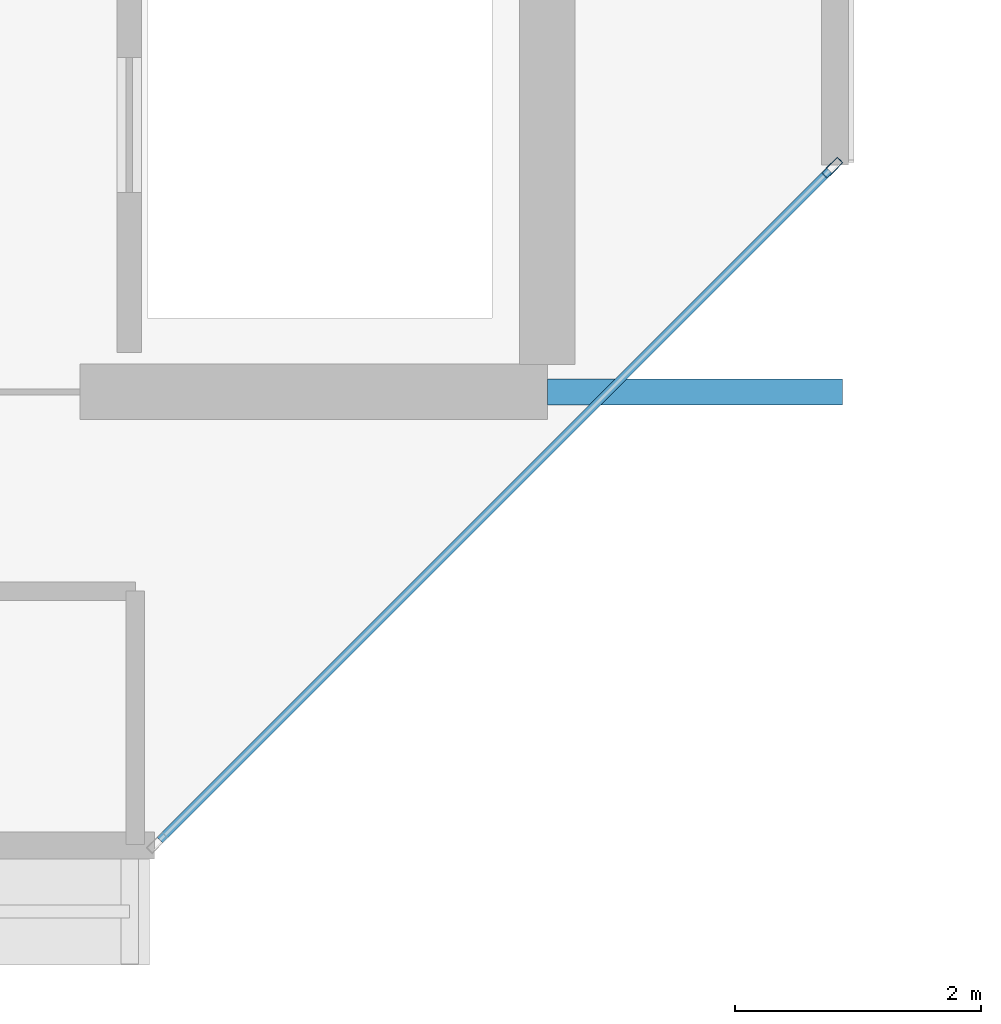
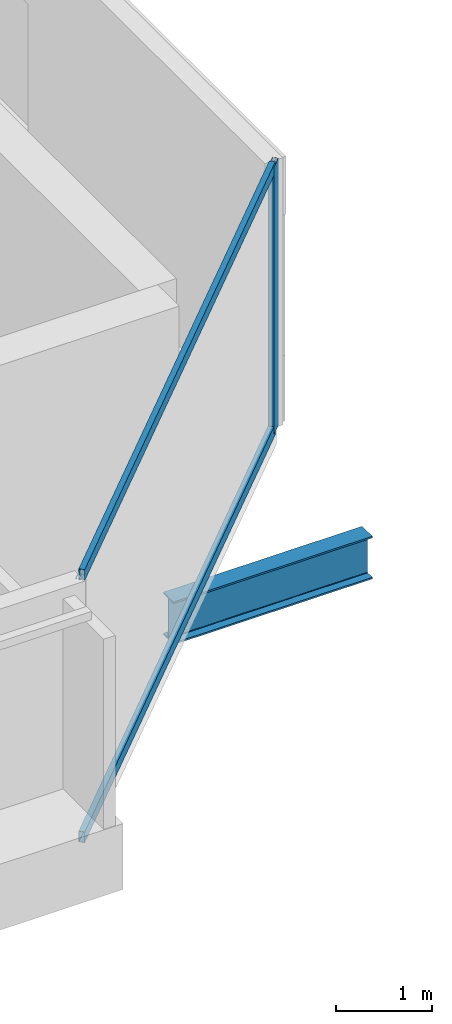
# One storey, part 3 of 28: 3 members, 1 beam, 1 element without a shape of its own.
"""IFC4 building model written with IfcOpenShell, lengths in metres."""

import ifcopenshell
import ifcopenshell.guid

model = None  # the IFC model being written
_history = None  # IfcOwnerHistory: only IFC2X3 demands one
_inside = {}  # id of a spatial element -> (the spatial element, [elements in it])
_under = {}  # id of a project, library or spatial element -> (it, [spatial elements below it])
_declared = {}  # id of a project -> (the project, [libraries it declares])
_typed = {}  # id of a type object -> (the type object, [elements of that type])
_made_of = {}  # id of a material, layer set ... -> (it, [elements and type objects made of it])


def new_model(schema):
    """Start an empty IFC model of exactly this schema.

    Asked for "IFC4X3", IfcOpenShell would pick the latest addendum, in which some entities
    have other attributes; the version numbers below select the first issue.
    IFC2X3 requires an IfcOwnerHistory on every rooted entity: one is made here for all.
    """
    global model, _history
    if schema == "IFC4X3":
        model = ifcopenshell.file(schema_version=(4, 3, 0, 0))
    else:
        model = ifcopenshell.file(schema=schema)
    _inside.clear()
    _under.clear()
    _declared.clear()
    _typed.clear()
    _made_of.clear()
    _history = None
    if model.schema == "IFC2X3":
        org = make("IfcOrganization", Name="unknown")
        user = make(
            "IfcPersonAndOrganization",
            ThePerson=make("IfcPerson", FamilyName="unknown"),
            TheOrganization=org,
        )
        app = make(
            "IfcApplication",
            ApplicationDeveloper=org,
            Version="unknown",
            ApplicationFullName="unknown",
            ApplicationIdentifier="unknown",
        )
        _history = make(
            "IfcOwnerHistory",
            OwningUser=user,
            OwningApplication=app,
            ChangeAction="ADDED",
            CreationDate=0,
        )
    return model


def make(cls, **values):
    """One entity of the class cls with the attributes given. An attribute that is None is left unset."""
    return model.create_entity(
        cls, **{name: value for name, value in values.items() if value is not None}
    )


def rooted(cls, **values):
    """An entity with a GlobalId (a new one), such as an element, a storey or a relation."""
    return make(cls, GlobalId=ifcopenshell.guid.new(), OwnerHistory=_history, **values)


def si_unit(unit_type, name, prefix=None):
    """IfcSIUnit, for example si_unit("LENGTHUNIT", "METRE", prefix="MILLI")."""
    return make("IfcSIUnit", UnitType=unit_type, Prefix=prefix, Name=name)


def assignment(units):
    """IfcUnitAssignment: the units of a project."""
    return None if units is None else make("IfcUnitAssignment", Units=units)


def point(xyz):
    """IfcCartesianPoint."""
    return None if xyz is None else make("IfcCartesianPoint", Coordinates=xyz)


def direction(xyz):
    """IfcDirection."""
    return None if xyz is None else make("IfcDirection", DirectionRatios=xyz)


def frame(location, z_axis=None, x_axis=None):
    """IfcAxis2Placement3D, a coordinate frame: its origin and axes. An axis left out is left unset."""
    return make(
        "IfcAxis2Placement3D",
        Location=point(location),
        Axis=direction(z_axis),
        RefDirection=direction(x_axis),
    )


def frame_2d(location, x_axis=None):
    """IfcAxis2Placement2D, a coordinate frame in the plane: its origin and x axis."""
    return make(
        "IfcAxis2Placement2D", Location=point(location), RefDirection=direction(x_axis)
    )


def origin():
    """The frame at (0, 0, 0) with its axes left unset."""
    return frame((0.0, 0.0, 0.0))


def origin_2d():
    """The frame at (0, 0) in the plane with its x axis left unset."""
    return frame_2d((0.0, 0.0))


def place(relative_to, where):
    """IfcLocalPlacement: puts the frame where relative to a parent placement (None: the world)."""
    return make(
        "IfcLocalPlacement", PlacementRelTo=relative_to, RelativePlacement=where
    )


def context(
    kind, dimensions, precision=None, world=None, true_north=None, identifier=None
):
    """IfcGeometricRepresentationContext, for example the 3D "Model" context."""
    return make(
        "IfcGeometricRepresentationContext",
        ContextIdentifier=identifier,
        ContextType=kind,
        CoordinateSpaceDimension=dimensions,
        Precision=precision,
        WorldCoordinateSystem=world,
        TrueNorth=true_north,
    )


def subcontext(parent, identifier, kind, view, scale=None):
    """IfcGeometricRepresentationSubContext, for example "Body" below "Model"."""
    return make(
        "IfcGeometricRepresentationSubContext",
        ContextIdentifier=identifier,
        ContextType=kind,
        ParentContext=parent,
        TargetScale=scale,
        TargetView=view,
    )


def project(units=None, contexts=None):
    """IfcProject with its units and contexts."""
    return rooted(
        "IfcProject",
        Name="project",
        RepresentationContexts=contexts,
        UnitsInContext=assignment(units),
    )


def spatial(cls, under=None, at=None, **own):
    """A site, building, storey or space (cls), placed at a placement, below another one or the project."""
    s = rooted(cls, ObjectPlacement=at, **own)
    if under is not None:
        _under.setdefault(under.id(), (under, []))[1].append(s)
    return s


def profile(cls, at=None, kind="AREA", **sizes):
    """A parametric profile (cls). Its sizes go by their IFC names, for example OverallWidth=200.0."""
    return make(cls, ProfileType=kind, Position=at, **sizes)


def hollow_rectangle(**sizes):
    """IfcRectangleHollowProfileDef."""
    return profile("IfcRectangleHollowProfileDef", **sizes)


def i_section(**sizes):
    """IfcIShapeProfileDef."""
    return profile("IfcIShapeProfileDef", **sizes)


def extrude(swept, where, along, depth):
    """IfcExtrudedAreaSolid: the profile swept, set in the frame where, extruded along a direction by depth."""
    return make(
        "IfcExtrudedAreaSolid",
        SweptArea=swept,
        Position=where,
        ExtrudedDirection=direction(along),
        Depth=depth,
    )


def shape(context_of_items, identifier, shape_type, items):
    """IfcShapeRepresentation: the items that make up one representation, for example the "Body"."""
    return make(
        "IfcShapeRepresentation",
        ContextOfItems=context_of_items,
        RepresentationIdentifier=identifier,
        RepresentationType=shape_type,
        Items=items,
    )


def material(Name=None, Category=None):
    """IfcMaterial."""
    return make("IfcMaterial", Name=Name, Category=Category)


def layer(
    of_material, thickness, ventilated=None, Name=None, Category=None, Priority=None
):
    """IfcMaterialLayer: one layer of a wall or slab, of a material (None: an air gap)."""
    return make(
        "IfcMaterialLayer",
        Material=of_material,
        LayerThickness=thickness,
        IsVentilated=ventilated,
        Name=Name,
        Category=Category,
        Priority=Priority,
    )


def layer_set(layers, Name=None):
    """IfcMaterialLayerSet."""
    return make("IfcMaterialLayerSet", MaterialLayers=layers, LayerSetName=Name)


def material_profile(
    of_material, cross_section, Name=None, Category=None, Priority=None
):
    """IfcMaterialProfile: a cross section and its material."""
    return make(
        "IfcMaterialProfile",
        Name=Name,
        Material=of_material,
        Profile=cross_section,
        Priority=Priority,
        Category=Category,
    )


def profile_set(profiles, Name=None, composite=None):
    """IfcMaterialProfileSet."""
    return make(
        "IfcMaterialProfileSet",
        Name=Name,
        MaterialProfiles=profiles,
        CompositeProfile=composite,
    )


def made_of(thing, what):
    """Note that an element or type object is made of a material, layer set ...; save() writes the relation."""
    if what is not None:
        _made_of.setdefault(what.id(), (what, []))[1].append(thing)
    return thing


def type_object(cls, material=None, **own):
    """A type object (cls), such as IfcWallType, which elements share."""
    return made_of(rooted(cls, **own), material)


def element(
    cls,
    number,
    at=None,
    inside=None,
    cuts=None,
    type_object=None,
    material=None,
    context=None,
    identifier="Body",
    shape_type=None,
    held_by="IfcProductDefinitionShape",
    body=None,
    shapes=None,
    **own,
):
    """One element of the class cls, such as IfcWall. Its Tag is "e" and its number.

    at: its placement. inside: the storey or other place that contains it. cuts: it is an
    opening in that element (IfcRelVoidsElement). A single representation is given by context,
    identifier, shape_type and body (its items); several are given by shapes. held_by: the class
    of the entity that holds the representations. save() writes the other relations.
    """
    e = rooted(cls, Tag="e%d" % number, ObjectPlacement=at, **own)
    if body is not None:
        shapes = [shape(context, identifier, shape_type, body)]
    if shapes is not None:
        e.Representation = make(held_by, Representations=shapes)
    if inside is not None:
        _inside.setdefault(inside.id(), (inside, []))[1].append(e)
    if cuts is not None:
        rooted(
            "IfcRelVoidsElement", RelatingBuildingElement=cuts, RelatedOpeningElement=e
        )
    if type_object is not None:
        _typed.setdefault(type_object.id(), (type_object, []))[1].append(e)
    return made_of(e, material)


def aggregate(whole, parts):
    """IfcRelAggregates: a whole, such as a stair, and the parts it consists of."""
    return rooted("IfcRelAggregates", RelatingObject=whole, RelatedObjects=parts)


def save(model, path):
    """Write the relations noted so far, then the file.

    IfcRelAggregates (storeys below a building ...), IfcRelContainedInSpatialStructure (elements
    in a storey), IfcRelDefinesByType, IfcRelAssociatesMaterial and IfcRelDeclares: one each for
    every whole, place, type object, material and project.
    """
    for whole, parts in _under.values():
        aggregate(whole, parts)
    for where, things in _inside.values():
        rooted(
            "IfcRelContainedInSpatialStructure",
            RelatedElements=things,
            RelatingStructure=where,
        )
    for kind, things in _typed.values():
        rooted("IfcRelDefinesByType", RelatedObjects=things, RelatingType=kind)
    for what, things in _made_of.values():
        rooted("IfcRelAssociatesMaterial", RelatedObjects=things, RelatingMaterial=what)
    for by, libraries in _declared.values():
        rooted("IfcRelDeclares", RelatingContext=by, RelatedDefinitions=libraries)
    model.write(path)


model = new_model("IFC4")

# Units and contexts
model_context = context("Model", 3, precision=1e-05, world=origin(), true_north=direction((0.0, 1.0)))
body_context = subcontext(model_context, "Body", "Model", "MODEL_VIEW")
ifc_project = project(units=[si_unit("LENGTHUNIT", "METRE"), si_unit("AREAUNIT", "SQUARE_METRE"), si_unit("VOLUMEUNIT", "CUBIC_METRE"), si_unit("PLANEANGLEUNIT", "RADIAN"), si_unit("MASSUNIT", "GRAM", prefix="KILO")], contexts=[model_context])

# Site, building, storey
site_placement = place(None, origin())
site = spatial("IfcSite", under=ifc_project, at=site_placement, CompositionType="ELEMENT")
building_placement = place(site_placement, origin())
building = spatial("IfcBuilding", under=site, at=building_placement, Name="Tanjung Sevakor Pilgrim Tower", CompositionType="ELEMENT")
storey_placement = place(building_placement, frame((0.0, 0.0, 242.550048828125)))
storey = spatial("IfcBuildingStorey", under=building, at=storey_placement, Name="L68", CompositionType="ELEMENT", Elevation=242.550048828125)

# Beam
ifc_material_1 = material(Name="Steel S355J2", Category="steel")
ifc_material_profile_1 = material_profile(ifc_material_1, i_section(OverallWidth=0.2119140625, OverallDepth=0.54443359375, WebThickness=0.0126953125, FlangeThickness=0.021240234375, FilletRadius=0.0126953125, at=origin_2d()))
ifc_profile_set_1 = profile_set([ifc_material_profile_1], Name="Steel S355J2")
beam_type = type_object("IfcBeamType", Name="BM-B-G5-UB_533x210x122", PredefinedType="BEAM", material=ifc_profile_set_1)
beam_placement = place(storey_placement, frame((36.0, 24.60009765625, -0.492431640625), z_axis=(1.0, 0.0, 0.0), x_axis=(0.0, 1.0, 0.0)))
element("IfcBeam", 1, at=beam_placement, inside=storey, type_object=beam_type, Name="L68 West Peak Cantilever Girder 1", PredefinedType="BEAM", context=body_context, shape_type="SweptSolid", body=[
    extrude(i_section(OverallWidth=0.2119140625, OverallDepth=0.54443359375, WebThickness=0.0126953125, FlangeThickness=0.021240234375, FilletRadius=0.0126953125, at=origin_2d()), origin(), (0.0, 0.0, 1.0), 2.39990234375),
])

# Curtain wall, members
ifc_material_2 = material(Name="Aluminium 6063-T6 and Low-E Glass", Category="aluminium")
ifc_layer = layer(ifc_material_2, 0.179931640625)
ifc_layer_set = layer_set([ifc_layer], Name="CW-SYS-CHAM")
curtain_wall_type = type_object("IfcCurtainWallType", Name="CW-SYS-CHAM", PredefinedType="NOTDEFINED", material=ifc_layer_set)
curtain_wall_placement = place(storey_placement, origin())
curtain_wall = element("IfcCurtainWall", 2, at=curtain_wall_placement, inside=storey, type_object=curtain_wall_type, Name="L68 Curtain Wall CW-CHM-L68-WEST-1", PredefinedType="NOTDEFINED")
ifc_material_3 = material(Name="Aluminium 6063-T6", Category="aluminium")
ifc_material_profile_2 = material_profile(ifc_material_3, hollow_rectangle(XDim=0.06494140625, YDim=0.179931640625, WallThickness=0.00390625, at=origin_2d()))
ifc_profile_set_2 = profile_set([ifc_material_profile_2], Name="Aluminium 6063-T6")
member_type_1 = type_object("IfcMemberType", Name="TYPE-CWM-1", PredefinedType="MULLION", material=ifc_profile_set_2)
member_1_placement = place(storey_placement, frame((38.317138671875, 26.422607421875, 0.0), z_axis=(0.0, 0.0, 1.0), x_axis=(-0.707106781187, 0.707106781187, 0.0)))
member_1 = element("IfcMember", 3, at=member_1_placement, type_object=member_type_1, Name="CW-CHM mullion 2", PredefinedType="MULLION", context=body_context, shape_type="SweptSolid", body=[
    extrude(hollow_rectangle(XDim=0.06494140625, YDim=0.179931640625, WallThickness=0.00390625, at=origin_2d()), origin(), (0.0, 0.0, 1.0), 3.409912109375),
])
ifc_material_4 = material(Name="Aluminium 6063-T6", Category="aluminium")
ifc_material_profile_3 = material_profile(ifc_material_4, hollow_rectangle(XDim=0.06494140625, YDim=0.139892578125, WallThickness=0.00390625, at=origin_2d()))
ifc_profile_set_3 = profile_set([ifc_material_profile_3], Name="Aluminium 6063-T6")
member_type_2 = type_object("IfcMemberType", Name="TYPE-CWT-1", PredefinedType="USERDEFINED", material=ifc_profile_set_3)
member_2_placement = place(storey_placement, frame((32.850341796875, 20.9560546875, 0.032470703125), z_axis=(0.707106781187, 0.707106781187, 0.0), x_axis=(-0.707106781187, 0.707106781187, 0.0)))
member_2 = element("IfcMember", 4, at=member_2_placement, type_object=member_type_2, Name="CW-CHM transom 1.1", ObjectType="TRANSOM", PredefinedType="USERDEFINED", context=body_context, shape_type="SweptSolid", body=[
    extrude(hollow_rectangle(XDim=0.06494140625, YDim=0.139892578125, WallThickness=0.00390625, at=origin_2d()), origin(), (0.0, 0.0, 1.0), 7.698486328125),
])
member_3_placement = place(storey_placement, frame((32.850341796875, 20.9560546875, 3.37744140625), z_axis=(0.707106781187, 0.707106781187, 0.0), x_axis=(-0.707106781187, 0.707106781187, 0.0)))
member_3 = element("IfcMember", 5, at=member_3_placement, type_object=member_type_2, Name="CW-CHM transom 1.2", ObjectType="TRANSOM", PredefinedType="USERDEFINED", context=body_context, shape_type="SweptSolid", body=[
    extrude(hollow_rectangle(XDim=0.06494140625, YDim=0.139892578125, WallThickness=0.00390625, at=origin_2d()), origin(), (0.0, 0.0, 1.0), 7.698486328125),
])
aggregate(curtain_wall, [member_1, member_2, member_3])

save(model, "model.ifc")
